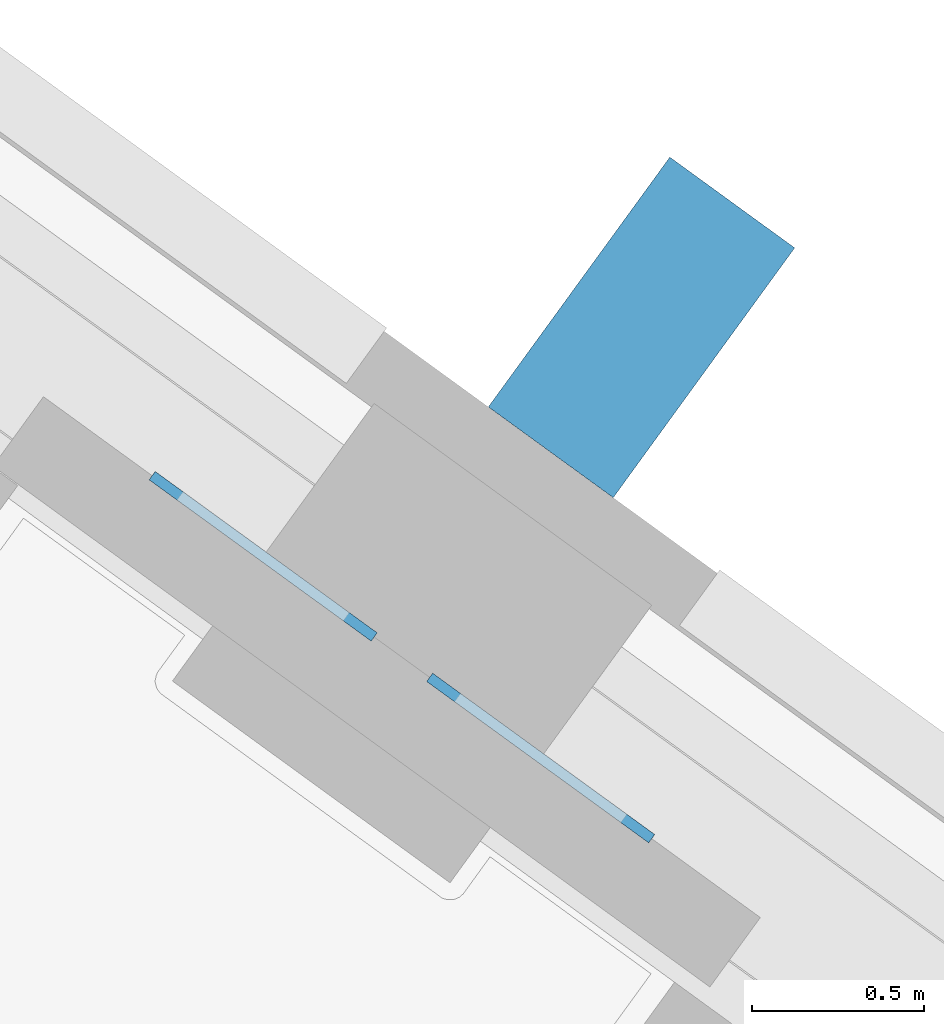
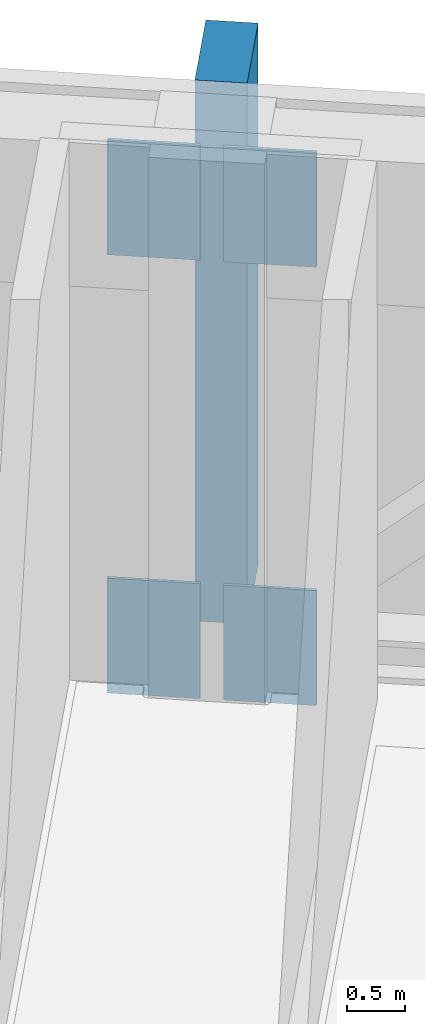
# One storey, part 8 of 19: 5 plates.
"""IFC4 building model written with IfcOpenShell, lengths in metres."""

from ifc_helpers import new_model, si_unit, direction, frame, origin, origin_2d, place, context, subcontext, project, spatial, rectangle, extrude, material, layer, layer_set, type_object, element, save


model = new_model("IFC4")

# Units and contexts
model_context = context("Model", 3, precision=1e-05, world=origin(), true_north=direction((0.0, 1.0)))
body_context = subcontext(model_context, "Body", "Model", "MODEL_VIEW")
ifc_project = project(units=[si_unit("LENGTHUNIT", "METRE"), si_unit("AREAUNIT", "SQUARE_METRE"), si_unit("VOLUMEUNIT", "CUBIC_METRE"), si_unit("PLANEANGLEUNIT", "RADIAN"), si_unit("MASSUNIT", "GRAM", prefix="KILO")], contexts=[model_context])

# Site, building, storey
site_placement = place(None, origin())
site = spatial("IfcSite", under=ifc_project, at=site_placement, CompositionType="ELEMENT")
building_placement = place(site_placement, origin())
building = spatial("IfcBuilding", under=site, at=building_placement, Name="Quipu Civic Tower", CompositionType="ELEMENT")
storey_placement = place(building_placement, frame((0.0, 0.0, 25.0)))
storey = spatial("IfcBuildingStorey", under=building, at=storey_placement, Name="L05", CompositionType="ELEMENT", Elevation=25.0)

# Plates
ifc_material_1 = material(Name="Steel ASTM A572 Grade 50 (fy 345 MPa)", Category="steel")
ifc_layer_1 = layer(ifc_material_1, 0.030029296875)
ifc_layer_set_1 = layer_set([ifc_layer_1], Name="Steel ASTM A572 Grade 50 (fy 345 MPa)")
plate_type_1 = type_object("IfcPlateType", Name="Cast in plate BC1", PredefinedType="SHEET", material=ifc_layer_set_1)
for number, where, z_axis, x_axis, name in (
    (1, (49.470458984375, 39.7119140625, -0.27734375), (0.0, 0.0, 1.0), (0.809006735464, -0.587799372213, 0.0), "Cast-in plate BC1 L05 008"),
    (2, (48.66162109375, 40.2998046875, -0.27734375), (0.0, 0.0, 1.0), (0.809006735464, -0.587799372213, 0.0), "Cast-in plate BC1 L05 011"),
):
    element("IfcPlate", number, at=place(storey_placement, frame(where, z_axis=z_axis, x_axis=x_axis)), inside=storey, type_object=plate_type_1, Name=name, PredefinedType="SHEET", context=body_context, shape_type="SweptSolid", body=[
        extrude(rectangle(XDim=0.800048828125, YDim=0.030029296875, at=origin_2d()), origin(), (0.0, 0.0, 1.0), 1.199951171875),
    ])
ifc_material_2 = material(Name="Steel ASTM A572 Grade 50 (fy 345 MPa)", Category="steel")
ifc_layer_2 = layer(ifc_material_2, 0.030029296875)
ifc_layer_set_2 = layer_set([ifc_layer_2], Name="Steel ASTM A572 Grade 50 (fy 345 MPa)")
plate_type_2 = type_object("IfcPlateType", Name="Cast in plate TC1", PredefinedType="SHEET", material=ifc_layer_set_2)
for number, where, z_axis, x_axis, name in (
    (3, (49.470458984375, 39.7119140625, 4.2998046875), (0.0, 0.0, 1.0), (0.809006735464, -0.587799372213, 0.0), "Cast-in plate TC1 L05 007"),
    (4, (48.66162109375, 40.2998046875, 4.2998046875), (0.0, 0.0, 1.0), (0.809006735464, -0.587799372213, 0.0), "Cast-in plate TC1 L05 010"),
):
    element("IfcPlate", number, at=place(storey_placement, frame(where, z_axis=z_axis, x_axis=x_axis)), inside=storey, type_object=plate_type_2, Name=name, PredefinedType="SHEET", context=body_context, shape_type="SweptSolid", body=[
        extrude(rectangle(XDim=0.800048828125, YDim=0.030029296875, at=origin_2d()), origin(), (0.0, 0.0, 1.0), 1.199951171875),
    ])
ifc_material_3 = material(Name="Precast concrete C40/50", Category="concrete")
plate_type_3 = type_object("IfcPlateType", Name="Precast fin F1", PredefinedType="SHEET", material=ifc_material_3)
plate_placement = place(storey_placement, frame((49.764404296875, 40.967041015625, 0.0), z_axis=(0.0, 0.0, 1.0), x_axis=(-0.809021318545, 0.587779300537, 0.0)))
element("IfcPlate", 5, at=plate_placement, inside=storey, type_object=plate_type_3, Name="Precast fin F1 L05.32.1", PredefinedType="SHEET", context=body_context, shape_type="SweptSolid", body=[
    extrude(rectangle(XDim=0.449951171875, YDim=0.89990234375, at=origin_2d()), origin(), (0.0, 0.0, 1.0), 5.64990234375),
])

save(model, "model.ifc")
